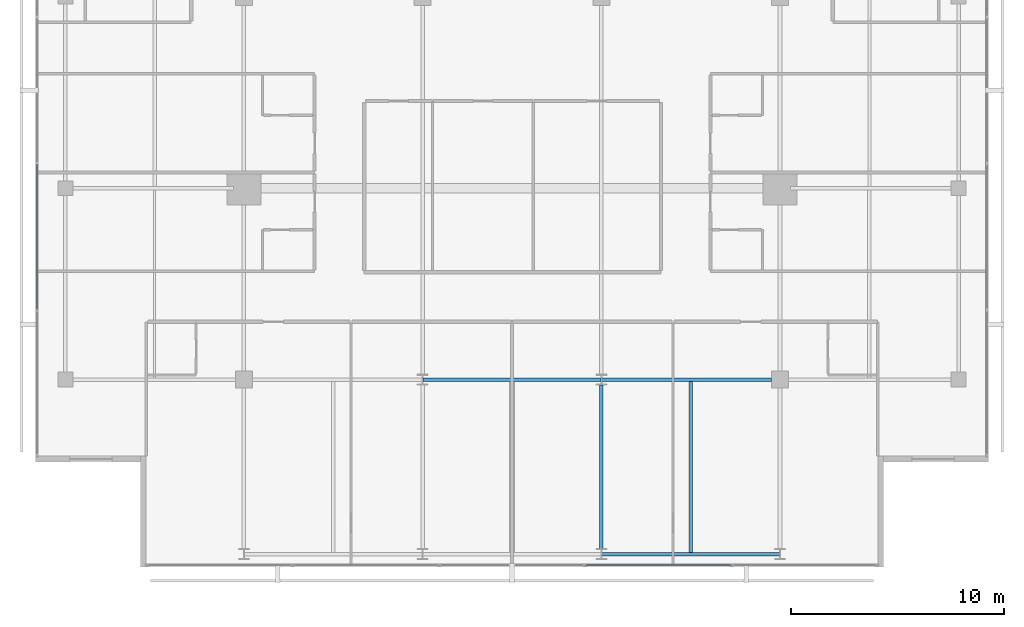
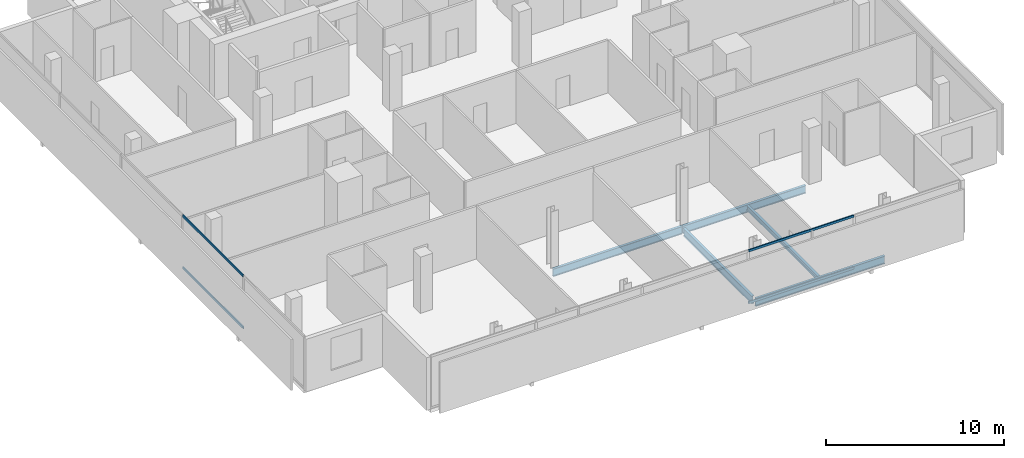
# One storey, part 7 of 25: 5 beams, 4 members, 2 elements without a shape of their own.
"""IFC4 building model written with IfcOpenShell, lengths in metres."""

import ifcopenshell
import ifcopenshell.guid

model = None  # the IFC model being written
_history = None  # IfcOwnerHistory: only IFC2X3 demands one
_inside = {}  # id of a spatial element -> (the spatial element, [elements in it])
_under = {}  # id of a project, library or spatial element -> (it, [spatial elements below it])
_declared = {}  # id of a project -> (the project, [libraries it declares])
_typed = {}  # id of a type object -> (the type object, [elements of that type])
_made_of = {}  # id of a material, layer set ... -> (it, [elements and type objects made of it])


def new_model(schema):
    """Start an empty IFC model of exactly this schema.

    Asked for "IFC4X3", IfcOpenShell would pick the latest addendum, in which some entities
    have other attributes; the version numbers below select the first issue.
    IFC2X3 requires an IfcOwnerHistory on every rooted entity: one is made here for all.
    """
    global model, _history
    if schema == "IFC4X3":
        model = ifcopenshell.file(schema_version=(4, 3, 0, 0))
    else:
        model = ifcopenshell.file(schema=schema)
    _inside.clear()
    _under.clear()
    _declared.clear()
    _typed.clear()
    _made_of.clear()
    _history = None
    if model.schema == "IFC2X3":
        org = make("IfcOrganization", Name="unknown")
        user = make(
            "IfcPersonAndOrganization",
            ThePerson=make("IfcPerson", FamilyName="unknown"),
            TheOrganization=org,
        )
        app = make(
            "IfcApplication",
            ApplicationDeveloper=org,
            Version="unknown",
            ApplicationFullName="unknown",
            ApplicationIdentifier="unknown",
        )
        _history = make(
            "IfcOwnerHistory",
            OwningUser=user,
            OwningApplication=app,
            ChangeAction="ADDED",
            CreationDate=0,
        )
    return model


def make(cls, **values):
    """One entity of the class cls with the attributes given. An attribute that is None is left unset."""
    return model.create_entity(
        cls, **{name: value for name, value in values.items() if value is not None}
    )


def rooted(cls, **values):
    """An entity with a GlobalId (a new one), such as an element, a storey or a relation."""
    return make(cls, GlobalId=ifcopenshell.guid.new(), OwnerHistory=_history, **values)


def si_unit(unit_type, name, prefix=None):
    """IfcSIUnit, for example si_unit("LENGTHUNIT", "METRE", prefix="MILLI")."""
    return make("IfcSIUnit", UnitType=unit_type, Prefix=prefix, Name=name)


def assignment(units):
    """IfcUnitAssignment: the units of a project."""
    return None if units is None else make("IfcUnitAssignment", Units=units)


def point(xyz):
    """IfcCartesianPoint."""
    return None if xyz is None else make("IfcCartesianPoint", Coordinates=xyz)


def direction(xyz):
    """IfcDirection."""
    return None if xyz is None else make("IfcDirection", DirectionRatios=xyz)


def frame(location, z_axis=None, x_axis=None):
    """IfcAxis2Placement3D, a coordinate frame: its origin and axes. An axis left out is left unset."""
    return make(
        "IfcAxis2Placement3D",
        Location=point(location),
        Axis=direction(z_axis),
        RefDirection=direction(x_axis),
    )


def frame_2d(location, x_axis=None):
    """IfcAxis2Placement2D, a coordinate frame in the plane: its origin and x axis."""
    return make(
        "IfcAxis2Placement2D", Location=point(location), RefDirection=direction(x_axis)
    )


def origin():
    """The frame at (0, 0, 0) with its axes left unset."""
    return frame((0.0, 0.0, 0.0))


def origin_2d():
    """The frame at (0, 0) in the plane with its x axis left unset."""
    return frame_2d((0.0, 0.0))


def place(relative_to, where):
    """IfcLocalPlacement: puts the frame where relative to a parent placement (None: the world)."""
    return make(
        "IfcLocalPlacement", PlacementRelTo=relative_to, RelativePlacement=where
    )


def context(
    kind, dimensions, precision=None, world=None, true_north=None, identifier=None
):
    """IfcGeometricRepresentationContext, for example the 3D "Model" context."""
    return make(
        "IfcGeometricRepresentationContext",
        ContextIdentifier=identifier,
        ContextType=kind,
        CoordinateSpaceDimension=dimensions,
        Precision=precision,
        WorldCoordinateSystem=world,
        TrueNorth=true_north,
    )


def subcontext(parent, identifier, kind, view, scale=None):
    """IfcGeometricRepresentationSubContext, for example "Body" below "Model"."""
    return make(
        "IfcGeometricRepresentationSubContext",
        ContextIdentifier=identifier,
        ContextType=kind,
        ParentContext=parent,
        TargetScale=scale,
        TargetView=view,
    )


def project(units=None, contexts=None):
    """IfcProject with its units and contexts."""
    return rooted(
        "IfcProject",
        Name="project",
        RepresentationContexts=contexts,
        UnitsInContext=assignment(units),
    )


def spatial(cls, under=None, at=None, **own):
    """A site, building, storey or space (cls), placed at a placement, below another one or the project."""
    s = rooted(cls, ObjectPlacement=at, **own)
    if under is not None:
        _under.setdefault(under.id(), (under, []))[1].append(s)
    return s


def profile(cls, at=None, kind="AREA", **sizes):
    """A parametric profile (cls). Its sizes go by their IFC names, for example OverallWidth=200.0."""
    return make(cls, ProfileType=kind, Position=at, **sizes)


def hollow_rectangle(**sizes):
    """IfcRectangleHollowProfileDef."""
    return profile("IfcRectangleHollowProfileDef", **sizes)


def i_section(**sizes):
    """IfcIShapeProfileDef."""
    return profile("IfcIShapeProfileDef", **sizes)


def extrude(swept, where, along, depth):
    """IfcExtrudedAreaSolid: the profile swept, set in the frame where, extruded along a direction by depth."""
    return make(
        "IfcExtrudedAreaSolid",
        SweptArea=swept,
        Position=where,
        ExtrudedDirection=direction(along),
        Depth=depth,
    )


def shape(context_of_items, identifier, shape_type, items):
    """IfcShapeRepresentation: the items that make up one representation, for example the "Body"."""
    return make(
        "IfcShapeRepresentation",
        ContextOfItems=context_of_items,
        RepresentationIdentifier=identifier,
        RepresentationType=shape_type,
        Items=items,
    )


def material(Name=None, Category=None):
    """IfcMaterial."""
    return make("IfcMaterial", Name=Name, Category=Category)


def layer(
    of_material, thickness, ventilated=None, Name=None, Category=None, Priority=None
):
    """IfcMaterialLayer: one layer of a wall or slab, of a material (None: an air gap)."""
    return make(
        "IfcMaterialLayer",
        Material=of_material,
        LayerThickness=thickness,
        IsVentilated=ventilated,
        Name=Name,
        Category=Category,
        Priority=Priority,
    )


def layer_set(layers, Name=None):
    """IfcMaterialLayerSet."""
    return make("IfcMaterialLayerSet", MaterialLayers=layers, LayerSetName=Name)


def material_profile(
    of_material, cross_section, Name=None, Category=None, Priority=None
):
    """IfcMaterialProfile: a cross section and its material."""
    return make(
        "IfcMaterialProfile",
        Name=Name,
        Material=of_material,
        Profile=cross_section,
        Priority=Priority,
        Category=Category,
    )


def profile_set(profiles, Name=None, composite=None):
    """IfcMaterialProfileSet."""
    return make(
        "IfcMaterialProfileSet",
        Name=Name,
        MaterialProfiles=profiles,
        CompositeProfile=composite,
    )


def made_of(thing, what):
    """Note that an element or type object is made of a material, layer set ...; save() writes the relation."""
    if what is not None:
        _made_of.setdefault(what.id(), (what, []))[1].append(thing)
    return thing


def type_object(cls, material=None, **own):
    """A type object (cls), such as IfcWallType, which elements share."""
    return made_of(rooted(cls, **own), material)


def element(
    cls,
    number,
    at=None,
    inside=None,
    cuts=None,
    type_object=None,
    material=None,
    context=None,
    identifier="Body",
    shape_type=None,
    held_by="IfcProductDefinitionShape",
    body=None,
    shapes=None,
    **own,
):
    """One element of the class cls, such as IfcWall. Its Tag is "e" and its number.

    at: its placement. inside: the storey or other place that contains it. cuts: it is an
    opening in that element (IfcRelVoidsElement). A single representation is given by context,
    identifier, shape_type and body (its items); several are given by shapes. held_by: the class
    of the entity that holds the representations. save() writes the other relations.
    """
    e = rooted(cls, Tag="e%d" % number, ObjectPlacement=at, **own)
    if body is not None:
        shapes = [shape(context, identifier, shape_type, body)]
    if shapes is not None:
        e.Representation = make(held_by, Representations=shapes)
    if inside is not None:
        _inside.setdefault(inside.id(), (inside, []))[1].append(e)
    if cuts is not None:
        rooted(
            "IfcRelVoidsElement", RelatingBuildingElement=cuts, RelatedOpeningElement=e
        )
    if type_object is not None:
        _typed.setdefault(type_object.id(), (type_object, []))[1].append(e)
    return made_of(e, material)


def aggregate(whole, parts):
    """IfcRelAggregates: a whole, such as a stair, and the parts it consists of."""
    return rooted("IfcRelAggregates", RelatingObject=whole, RelatedObjects=parts)


def save(model, path):
    """Write the relations noted so far, then the file.

    IfcRelAggregates (storeys below a building ...), IfcRelContainedInSpatialStructure (elements
    in a storey), IfcRelDefinesByType, IfcRelAssociatesMaterial and IfcRelDeclares: one each for
    every whole, place, type object, material and project.
    """
    for whole, parts in _under.values():
        aggregate(whole, parts)
    for where, things in _inside.values():
        rooted(
            "IfcRelContainedInSpatialStructure",
            RelatedElements=things,
            RelatingStructure=where,
        )
    for kind, things in _typed.values():
        rooted("IfcRelDefinesByType", RelatedObjects=things, RelatingType=kind)
    for what, things in _made_of.values():
        rooted("IfcRelAssociatesMaterial", RelatedObjects=things, RelatingMaterial=what)
    for by, libraries in _declared.values():
        rooted("IfcRelDeclares", RelatingContext=by, RelatedDefinitions=libraries)
    model.write(path)


model = new_model("IFC4")

# Units and contexts
model_context = context("Model", 3, precision=1e-05, world=origin(), true_north=direction((0.0, 1.0)))
body_context = subcontext(model_context, "Body", "Model", "MODEL_VIEW")
ifc_project = project(units=[si_unit("LENGTHUNIT", "METRE"), si_unit("AREAUNIT", "SQUARE_METRE"), si_unit("VOLUMEUNIT", "CUBIC_METRE"), si_unit("PLANEANGLEUNIT", "RADIAN"), si_unit("MASSUNIT", "GRAM", prefix="KILO")], contexts=[model_context])

# Site, building, storey
site_placement = place(None, origin())
site = spatial("IfcSite", under=ifc_project, at=site_placement, CompositionType="ELEMENT")
building_placement = place(site_placement, origin())
building = spatial("IfcBuilding", under=site, at=building_placement, Name="Maruvema Waterfront Hotel and Observation Tower", CompositionType="ELEMENT")
storey_placement = place(building_placement, frame((0.0, 0.0, 277.89990234375)))
storey = spatial("IfcBuildingStorey", under=building, at=storey_placement, Name="L68", CompositionType="ELEMENT", Elevation=277.89990234375)

# Curtain wall, members
ifc_material_1 = material(Name="Anodised bronze aluminium and solar-control low-E IGU", Category="aluminium")
ifc_layer = layer(ifc_material_1, 0.159912109375, Name="Zone 3 Champagne Inner Thermal Curtain Wall System CW-04")
ifc_layer_set = layer_set([ifc_layer], Name="Anodised bronze aluminium and solar-control low-E IGU")
curtain_wall_type = type_object("IfcCurtainWallType", Name="Zone 3 Champagne Inner Thermal Curtain Wall System CW-04", PredefinedType="USERDEFINED", material=ifc_layer_set)
curtain_wall_1_placement = place(storey_placement, origin())
curtain_wall_1 = element("IfcCurtainWall", 1, at=curtain_wall_1_placement, inside=storey, type_object=curtain_wall_type, Name="L68 Curtain Wall CW-L68-S", ObjectType="UNITISED CURTAIN WALL", PredefinedType="USERDEFINED")
ifc_material_2 = material(Name="Anodised architectural bronze aluminium", Category="aluminium")
ifc_material_profile_1 = material_profile(ifc_material_2, hollow_rectangle(XDim=0.070068359375, YDim=0.14990234375, WallThickness=0.00390625, at=origin_2d()), Name="ALU-T70x150")
ifc_profile_set_1 = profile_set([ifc_material_profile_1], Name="Anodised architectural bronze aluminium")
member_type = type_object("IfcMemberType", Name="Curtain Wall Horizontal Transom ALU-T70x150", PredefinedType="USERDEFINED", material=ifc_profile_set_1)
member_1_placement = place(storey_placement, frame((41.27001953125, 9.280029296875, 0.030029296875), z_axis=(1.0, 0.0, 0.0), x_axis=(0.0, 1.0, 0.0)))
member_1 = element("IfcMember", 2, at=member_1_placement, type_object=member_type, Name="CW-04 transom 4.1", ObjectType="TRANSOM", PredefinedType="USERDEFINED", context=body_context, shape_type="SweptSolid", body=[
    extrude(hollow_rectangle(XDim=0.070068359375, YDim=0.14990234375, WallThickness=0.00390625, at=origin_2d()), origin(), (0.0, 0.0, 1.0), 6.820068359375),
])
member_2_placement = place(storey_placement, frame((41.27001953125, 9.280029296875, 3.580078125), z_axis=(1.0, 0.0, 0.0), x_axis=(0.0, 1.0, 0.0)))
member_2 = element("IfcMember", 3, at=member_2_placement, type_object=member_type, Name="CW-04 transom 4.2", ObjectType="TRANSOM", PredefinedType="USERDEFINED", context=body_context, shape_type="SweptSolid", body=[
    extrude(hollow_rectangle(XDim=0.070068359375, YDim=0.14990234375, WallThickness=0.00390625, at=origin_2d()), origin(), (0.0, 0.0, 1.0), 6.820068359375),
])
aggregate(curtain_wall_1, [member_1, member_2])

curtain_wall_2_placement = place(storey_placement, origin())
curtain_wall_2 = element("IfcCurtainWall", 4, at=curtain_wall_2_placement, inside=storey, type_object=curtain_wall_type, Name="L68 Curtain Wall CW-L68-W", ObjectType="UNITISED CURTAIN WALL", PredefinedType="USERDEFINED")
member_3_placement = place(storey_placement, frame((15.47998046875, 28.1298828125, 0.030029296875), z_axis=(0.0, -1.0, 0.0), x_axis=(1.0, 0.0, 0.0)))
member_3 = element("IfcMember", 5, at=member_3_placement, type_object=member_type, Name="CW-04 transom 4.1", ObjectType="TRANSOM", PredefinedType="USERDEFINED", context=body_context, shape_type="SweptSolid", body=[
    extrude(hollow_rectangle(XDim=0.070068359375, YDim=0.14990234375, WallThickness=0.00390625, at=origin_2d()), origin(), (0.0, 0.0, 1.0), 6.81982421875),
])
member_4_placement = place(storey_placement, frame((15.47998046875, 28.1298828125, 3.580078125), z_axis=(0.0, -1.0, 0.0), x_axis=(1.0, 0.0, 0.0)))
member_4 = element("IfcMember", 6, at=member_4_placement, type_object=member_type, Name="CW-04 transom 4.2", ObjectType="TRANSOM", PredefinedType="USERDEFINED", context=body_context, shape_type="SweptSolid", body=[
    extrude(hollow_rectangle(XDim=0.070068359375, YDim=0.14990234375, WallThickness=0.00390625, at=origin_2d()), origin(), (0.0, 0.0, 1.0), 6.81982421875),
])
aggregate(curtain_wall_2, [member_3, member_4])

# Beams
ifc_material_3 = material(Name="Steel ASTM A572 Grade 50", Category="steel")
ifc_material_profile_2 = material_profile(ifc_material_3, i_section(OverallWidth=0.166015625, OverallDepth=0.529052734375, WebThickness=0.009765625, FlangeThickness=0.013671875, FilletRadius=0.014892578125, at=origin_2d()), Name="W530x74.0")
ifc_profile_set_2 = profile_set([ifc_material_profile_2], Name="Steel ASTM A572 Grade 50")
beam_type_1 = type_object("IfcBeamType", Name="Primary Floor Girder W530x74.0", PredefinedType="BEAM", material=ifc_profile_set_2)
for number, where, z_axis, x_axis, name in (
    (7, (42.010986328125, 9.800048828125, -0.50439453125), (1.0, 0.0, 0.0), (0.0, 1.0, 0.0), "L68 Floor Girder EW-03"),
    (8, (33.611083984375, 18.0, -0.50439453125), (1.0, 0.0, 0.0), (0.0, 1.0, 0.0), "L68 Floor Girder EW-06"),
):
    element("IfcBeam", number, at=place(storey_placement, frame(where, z_axis=z_axis, x_axis=x_axis)), inside=storey, type_object=beam_type_1, Name=name, PredefinedType="BEAM", context=body_context, shape_type="SweptSolid", body=[
        extrude(i_section(OverallWidth=0.166015625, OverallDepth=0.529052734375, WebThickness=0.009765625, FlangeThickness=0.013671875, FilletRadius=0.014892578125, at=origin_2d()), origin(), (0.0, 0.0, 1.0), 8.3779296875),
    ])
beam_1_placement = place(storey_placement, frame((42.010986328125, 18.0, -0.50439453125), z_axis=(1.0, 0.0, 0.0), x_axis=(0.0, 1.0, 0.0)))
element("IfcBeam", 9, at=beam_1_placement, inside=storey, type_object=beam_type_1, Name="L68 Floor Girder EW-07", PredefinedType="BEAM", context=body_context, shape_type="SweptSolid", body=[
    extrude(i_section(OverallWidth=0.166015625, OverallDepth=0.529052734375, WebThickness=0.009765625, FlangeThickness=0.013671875, FilletRadius=0.014892578125, at=origin_2d()), origin(), (0.0, 0.0, 1.0), 7.989013671875),
])
beam_2_placement = place(storey_placement, frame((42.0, 10.050048828125, -0.50439453125), z_axis=(0.0, 1.0, 0.0), x_axis=(-1.0, 0.0, 0.0)))
element("IfcBeam", 10, at=beam_2_placement, inside=storey, type_object=beam_type_1, Name="L68 Floor Girder NS-10", PredefinedType="BEAM", context=body_context, shape_type="SweptSolid", body=[
    extrude(i_section(OverallWidth=0.166015625, OverallDepth=0.529052734375, WebThickness=0.009765625, FlangeThickness=0.013671875, FilletRadius=0.014892578125, at=origin_2d()), origin(), (0.0, 0.0, 1.0), 7.699951171875),
])
ifc_material_4 = material(Name="Steel ASTM A572 Grade 50", Category="steel")
ifc_material_profile_3 = material_profile(ifc_material_4, i_section(OverallWidth=0.1669921875, OverallDepth=0.31689453125, WebThickness=0.007568359375, FlangeThickness=0.01318359375, FilletRadius=0.012939453125, at=origin_2d()), Name="W310x52.0")
ifc_profile_set_3 = profile_set([ifc_material_profile_3], Name="Steel ASTM A572 Grade 50")
beam_type_2 = type_object("IfcBeamType", Name="Secondary Floor Joist W310x52.0", PredefinedType="JOIST", material=ifc_profile_set_3)
beam_3_placement = place(storey_placement, frame((46.199951171875, 9.883056640625, -0.3984375), z_axis=(0.0, 1.0, 0.0), x_axis=(-1.0, 0.0, 0.0)))
element("IfcBeam", 11, at=beam_3_placement, inside=storey, type_object=beam_type_2, Name="L68 Secondary Floor Joist JS-06", PredefinedType="JOIST", context=body_context, shape_type="SweptSolid", body=[
    extrude(i_section(OverallWidth=0.1669921875, OverallDepth=0.31689453125, WebThickness=0.007568359375, FlangeThickness=0.01318359375, FilletRadius=0.012939453125, at=origin_2d()), origin(), (0.0, 0.0, 1.0), 8.033935546875),
])

save(model, "model.ifc")
